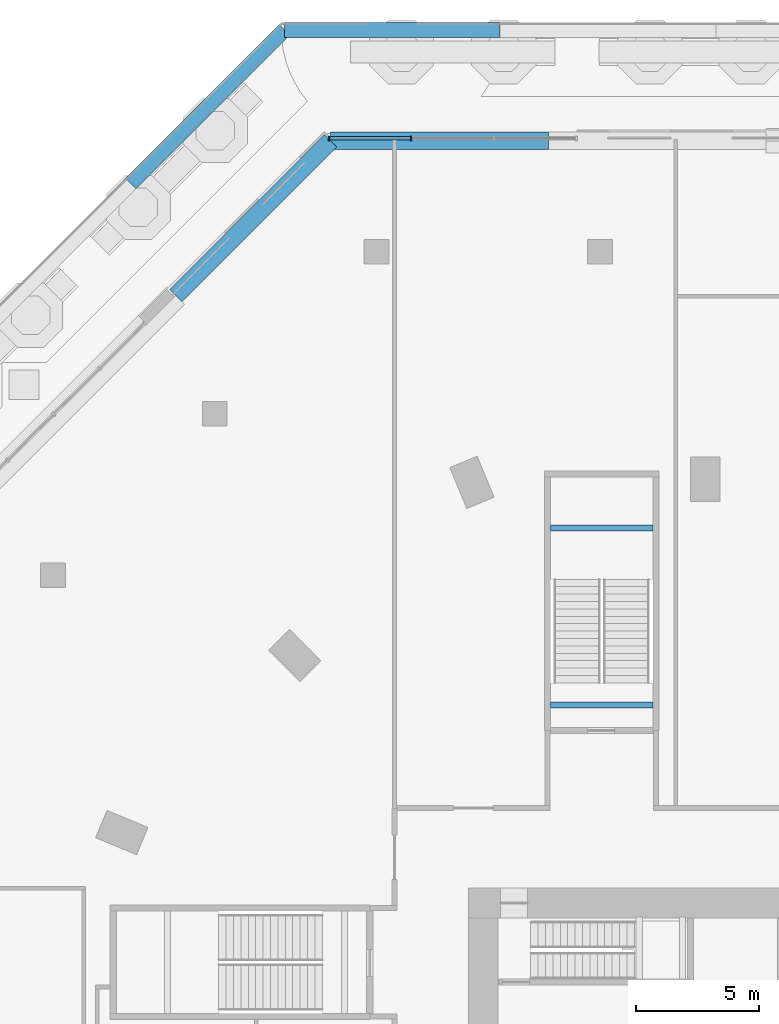
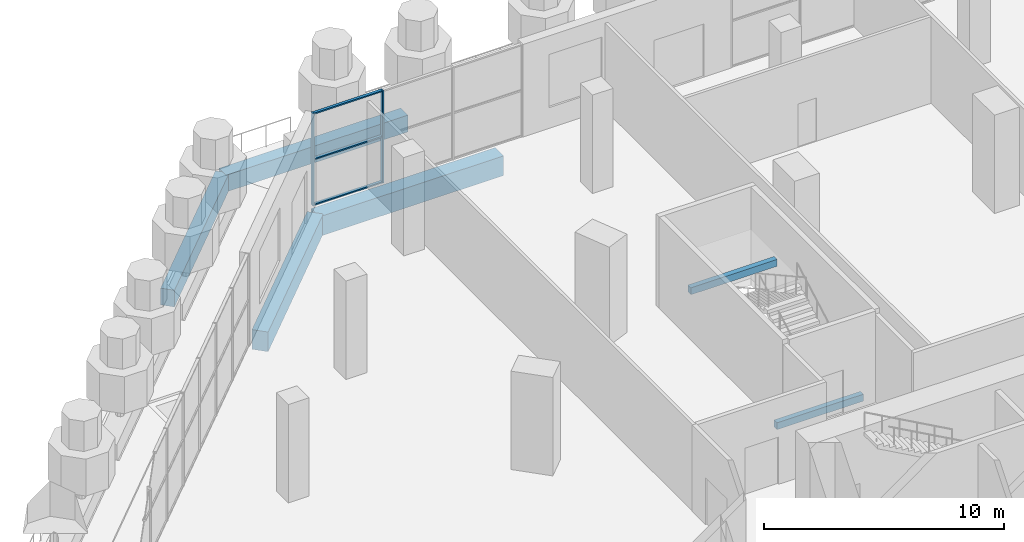
# One storey, part 13 of 32: 6 beams, 5 members, 1 element without a shape of its own.
"""IFC4 building model written with IfcOpenShell, lengths in metres."""

from ifc_helpers import new_model, si_unit, direction, frame, origin, origin_2d, place, context, subcontext, project, spatial, rectangle, extrude, material, material_profile, profile_set, type_object, element, aggregate, save


model = new_model("IFC4")

# Units and contexts
model_context = context("Model", 3, precision=1e-05, world=origin(), true_north=direction((0.0, 1.0)))
body_context = subcontext(model_context, "Body", "Model", "MODEL_VIEW")
ifc_project = project(units=[si_unit("LENGTHUNIT", "METRE"), si_unit("AREAUNIT", "SQUARE_METRE"), si_unit("VOLUMEUNIT", "CUBIC_METRE"), si_unit("PLANEANGLEUNIT", "RADIAN"), si_unit("MASSUNIT", "GRAM", prefix="KILO")], contexts=[model_context])

# Site, building, storey
site_placement = place(None, origin())
site = spatial("IfcSite", under=ifc_project, at=site_placement, CompositionType="ELEMENT")
building_placement = place(site_placement, origin())
building = spatial("IfcBuilding", under=site, at=building_placement, Name="Msitu Wima Residences", CompositionType="ELEMENT")
storey_placement = place(building_placement, frame((0.0, 0.0, 6.0)))
storey = spatial("IfcBuildingStorey", under=building, at=storey_placement, Name="L01", CompositionType="ELEMENT", Elevation=6.0)

# Beams
ifc_material_1 = material(Name="Concrete C40/50", Category="concrete")
ifc_material_profile_1 = material_profile(ifc_material_1, rectangle(XDim=0.25, YDim=0.35009765625, at=origin_2d()), Name="RC 250x350")
ifc_profile_set_1 = profile_set([ifc_material_profile_1], Name="Concrete C40/50")
beam_type_1 = type_object("IfcBeamType", Name="Landing beam RC 250x350", PredefinedType="BEAM", material=ifc_profile_set_1)
for number, where, z_axis, x_axis, name in (
    (1, (-6.925048828125, 26.60009765625, 2.125), (-1.0, 0.0, 0.0), (0.0, -1.0, 0.0), "Podium exit stair 3 landing beam"),
    (2, (-6.925048828125, 19.425048828125, -0.375), (-1.0, 0.0, 0.0), (0.0, -1.0, 0.0), "Podium exit stair 3 floor landing beam"),
):
    element("IfcBeam", number, at=place(storey_placement, frame(where, z_axis=z_axis, x_axis=x_axis)), inside=storey, type_object=beam_type_1, Name=name, PredefinedType="BEAM", context=body_context, shape_type="SweptSolid", body=[
        extrude(rectangle(XDim=0.25, YDim=0.35009765625, at=origin_2d()), origin(), (0.0, 0.0, 1.0), 4.14990234375),
    ])

# Curtain wall, members
ifc_material_2 = material(Name="Anodised aluminium, bronze finish, clear low-emissivity double glazing", Category="aluminium")
curtain_wall_type = type_object("IfcCurtainWallType", Name="Curtain wall CW5 retail shopfront", PredefinedType="NOTDEFINED", material=ifc_material_2)
curtain_wall_placement = place(storey_placement, origin())
curtain_wall = element("IfcCurtainWall", 3, at=curtain_wall_placement, inside=storey, type_object=curtain_wall_type, Name="Curtain wall CW5 L01 N3", PredefinedType="NOTDEFINED")
ifc_material_3 = material(Name="Anodised aluminium, bronze finish", Category="aluminium")
ifc_material_profile_2 = material_profile(ifc_material_3, rectangle(XDim=0.179931640625, YDim=0.06494140625, at=origin_2d()), Name="Mullion 65x180")
ifc_profile_set_2 = profile_set([ifc_material_profile_2], Name="Anodised aluminium, bronze finish")
member_type_1 = type_object("IfcMemberType", Name="Mullion CW5 65x180", PredefinedType="MULLION", material=ifc_profile_set_2)
member_1_placement = place(storey_placement, frame((-16.721923828125, 42.39990234375, 0.0), z_axis=(0.0, 0.0, 1.0), x_axis=(0.0, -1.0, 0.0)))
member_1 = element("IfcMember", 4, at=member_1_placement, type_object=member_type_1, Name="CW5 mullion 3", PredefinedType="MULLION", context=body_context, shape_type="SweptSolid", body=[
    extrude(rectangle(XDim=0.179931640625, YDim=0.06494140625, at=origin_2d()), origin(), (0.0, 0.0, 1.0), 4.699951171875),
])
member_2_placement = place(storey_placement, frame((-20.052490234375, 42.39990234375, 0.0), z_axis=(0.0, 0.0, 1.0), x_axis=(0.0, -1.0, 0.0)))
member_2 = element("IfcMember", 5, at=member_2_placement, type_object=member_type_1, Name="CW5 mullion 4", PredefinedType="MULLION", context=body_context, shape_type="SweptSolid", body=[
    extrude(rectangle(XDim=0.179931640625, YDim=0.06494140625, at=origin_2d()), origin(), (0.0, 0.0, 1.0), 4.699951171875),
])

# Beams
ifc_material_4 = material(Name="Concrete C60/75", Category="concrete")
ifc_material_profile_3 = material_profile(ifc_material_4, rectangle(XDim=0.60009765625, YDim=0.85009765625, at=origin_2d()), Name="RC 600x850")
ifc_profile_set_3 = profile_set([ifc_material_profile_3], Name="Concrete C60/75")
beam_type_2 = type_object("IfcBeamType", Name="Terrace beam RC 600x850 Concrete C60/75", PredefinedType="BEAM", material=ifc_profile_set_3)
beam_1_placement = place(storey_placement, frame((-13.113525390625, 46.800048828125, -0.77490234375), z_axis=(-1.0, 0.0, 0.0), x_axis=(0.0, -1.0, 0.0)))
element("IfcBeam", 6, at=beam_1_placement, inside=storey, type_object=beam_type_2, Name="Terrace edge beam L00 C-N4", PredefinedType="BEAM", context=body_context, shape_type="SweptSolid", body=[
    extrude(rectangle(XDim=0.60009765625, YDim=0.85009765625, at=origin_2d()), origin(), (0.0, 0.0, 1.0), 8.742431640625),
])
beam_2_placement = place(storey_placement, frame((-21.85595703125, 46.800048828125, -0.77490234375), z_axis=(-0.707092939282, -0.70712062282, 0.0), x_axis=(0.70712062282, -0.707092939282, 0.0)))
element("IfcBeam", 7, at=beam_2_placement, inside=storey, type_object=beam_type_2, Name="Terrace edge beam L00 C-NW0", PredefinedType="BEAM", context=body_context, shape_type="SweptSolid", body=[
    extrude(rectangle(XDim=0.60009765625, YDim=0.85009765625, at=origin_2d()), origin(), (0.0, 0.0, 1.0), 8.819091796875),
])
ifc_material_profile_4 = material_profile(ifc_material_4, rectangle(XDim=0.699951171875, YDim=1.0, at=origin_2d()), Name="RC 700x1000")
ifc_profile_set_4 = profile_set([ifc_material_profile_4], Name="Concrete C60/75")
beam_type_3 = type_object("IfcBeamType", Name="Terrace beam RC 700x1000 Concrete C60/75", PredefinedType="BEAM", material=ifc_profile_set_4)
beam_3_placement = place(storey_placement, frame((-11.14404296875, 42.300048828125, -0.85009765625), z_axis=(-1.0, 0.0, 0.0), x_axis=(0.0, -1.0, 0.0)))
element("IfcBeam", 8, at=beam_3_placement, inside=storey, type_object=beam_type_3, Name="Terrace upstand-line beam L01 T22", PredefinedType="BEAM", context=body_context, shape_type="SweptSolid", body=[
    extrude(rectangle(XDim=0.699951171875, YDim=1.0, at=origin_2d()), origin(), (0.0, 0.0, 1.0), 8.847900390625),
])
beam_4_placement = place(storey_placement, frame((-19.991943359375, 42.300048828125, -0.85009765625), z_axis=(-0.70709302759, -0.707120534516, 0.0), x_axis=(0.707120534516, -0.70709302759, 0.0)))
element("IfcBeam", 9, at=beam_4_placement, inside=storey, type_object=beam_type_3, Name="Terrace upstand-line beam L01 T23", PredefinedType="BEAM", context=body_context, shape_type="SweptSolid", body=[
    extrude(rectangle(XDim=0.699951171875, YDim=1.0, at=origin_2d()), origin(), (0.0, 0.0, 1.0), 8.87548828125),
])

# Member
ifc_material_profile_5 = material_profile(ifc_material_3, rectangle(XDim=0.139892578125, YDim=0.06494140625, at=origin_2d()), Name="Transom 65x140")
ifc_profile_set_5 = profile_set([ifc_material_profile_5], Name="Anodised aluminium, bronze finish")
member_type_2 = type_object("IfcMemberType", Name="Transom CW5 65x140", PredefinedType="USERDEFINED", material=ifc_profile_set_5)
member_3_placement = place(storey_placement, frame((-16.754638671875, 42.39990234375, 0.032470703125), z_axis=(-1.0, 0.0, 0.0), x_axis=(0.0, -1.0, 0.0)))
member_3 = element("IfcMember", 10, at=member_3_placement, type_object=member_type_2, Name="CW5 transom 3.1", ObjectType="TRANSOM", PredefinedType="USERDEFINED", context=body_context, shape_type="SweptSolid", body=[
    extrude(rectangle(XDim=0.139892578125, YDim=0.06494140625, at=origin_2d()), origin(), (0.0, 0.0, 1.0), 3.265380859375),
])

member_4_placement = place(storey_placement, frame((-16.754638671875, 42.39990234375, 2.35009765625), z_axis=(-1.0, 0.0, 0.0), x_axis=(0.0, -1.0, 0.0)))
member_4 = element("IfcMember", 11, at=member_4_placement, type_object=member_type_2, Name="CW5 transom 3.2", ObjectType="TRANSOM", PredefinedType="USERDEFINED", context=body_context, shape_type="SweptSolid", body=[
    extrude(rectangle(XDim=0.139892578125, YDim=0.06494140625, at=origin_2d()), origin(), (0.0, 0.0, 1.0), 3.265380859375),
])

member_5_placement = place(storey_placement, frame((-16.754638671875, 42.39990234375, 4.66748046875), z_axis=(-1.0, 0.0, 0.0), x_axis=(0.0, -1.0, 0.0)))
member_5 = element("IfcMember", 12, at=member_5_placement, type_object=member_type_2, Name="CW5 transom 3.3", ObjectType="TRANSOM", PredefinedType="USERDEFINED", context=body_context, shape_type="SweptSolid", body=[
    extrude(rectangle(XDim=0.139892578125, YDim=0.06494140625, at=origin_2d()), origin(), (0.0, 0.0, 1.0), 3.265380859375),
])

aggregate(curtain_wall, [member_1, member_2, member_3, member_4, member_5])

save(model, "model.ifc")
